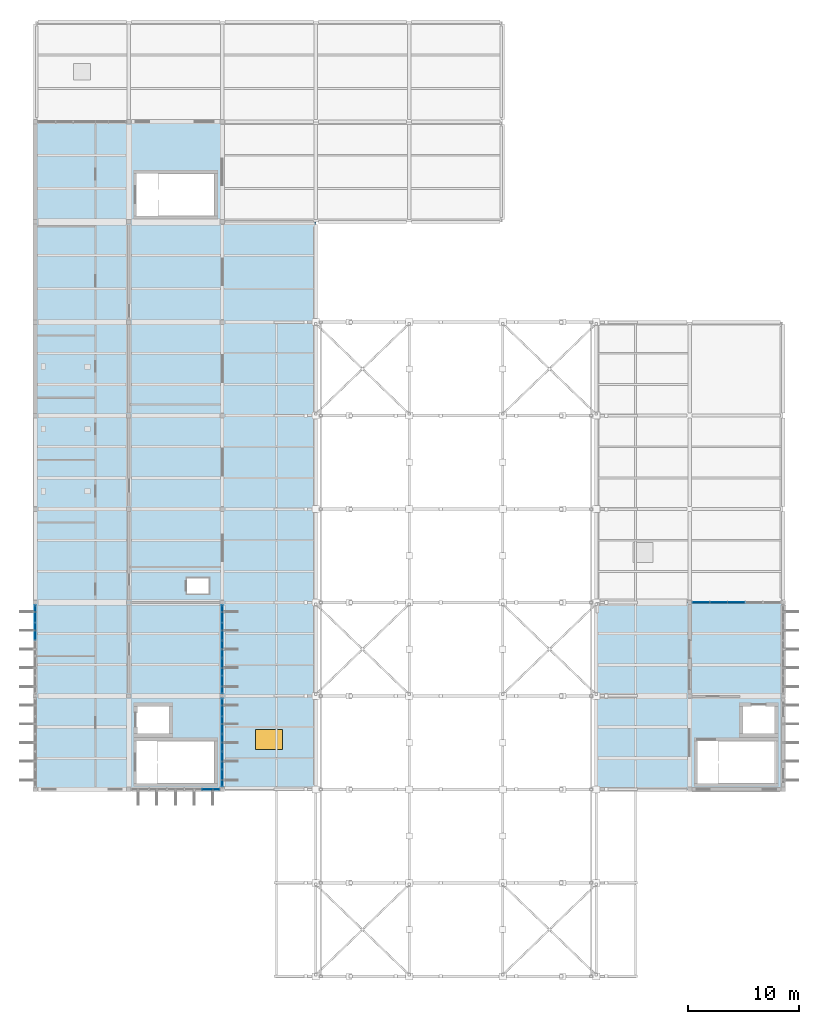
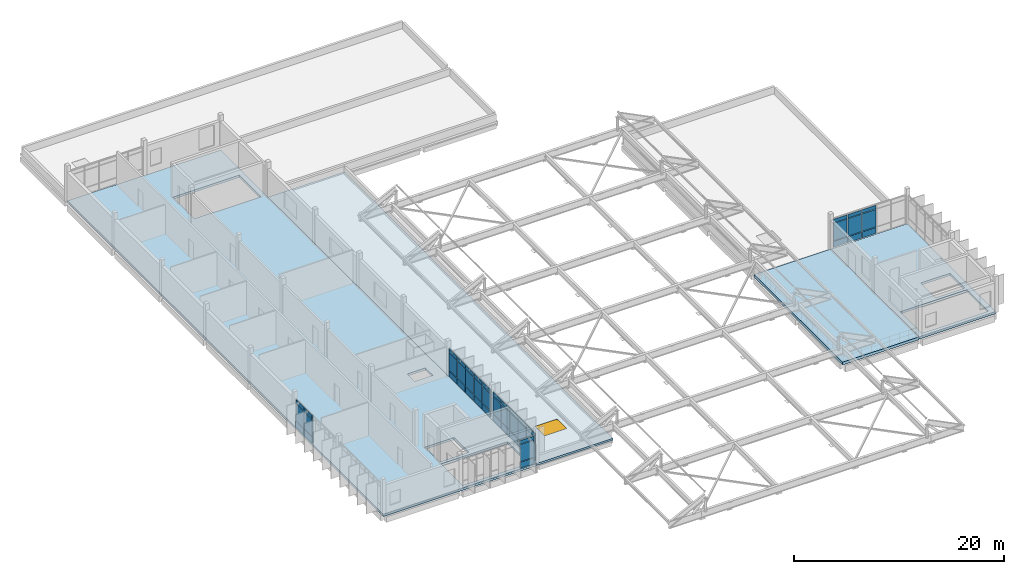
# One storey, part 26 of 41: 48 plates, 4 slabs, 1 window, 7 openings, 5 elements without a shape of their own.
"""IFC4 building model written with IfcOpenShell, lengths in metres."""

from ifc_helpers import new_model, si_unit, direction, frame, origin, origin_2d, place, context, subcontext, project, spatial, polyline, rectangle, outline, extrude, material, layer, layer_set, type_object, element, fill, aggregate, save


model = new_model("IFC4")

# Units and contexts
model_context = context("Model", 3, precision=1e-05, world=origin(), true_north=direction((0.0, 1.0)))
body_context = subcontext(model_context, "Body", "Model", "MODEL_VIEW")
ifc_project = project(units=[si_unit("LENGTHUNIT", "METRE"), si_unit("AREAUNIT", "SQUARE_METRE"), si_unit("VOLUMEUNIT", "CUBIC_METRE"), si_unit("PLANEANGLEUNIT", "RADIAN"), si_unit("MASSUNIT", "GRAM", prefix="KILO")], contexts=[model_context])

# Site, building, storey
site_placement = place(None, origin())
site = spatial("IfcSite", under=ifc_project, at=site_placement, CompositionType="ELEMENT")
building_placement = place(site_placement, origin())
building = spatial("IfcBuilding", under=site, at=building_placement, Name="Vireocrest Preparatory School", CompositionType="ELEMENT")
storey_placement = place(building_placement, frame((0.0, 0.0, 21.60009765625)))
storey = spatial("IfcBuildingStorey", under=building, at=storey_placement, Name="L05", CompositionType="ELEMENT", Elevation=21.60009765625)

# Curtain wall, plates
ifc_material_1 = material(Name="Thermally broken aluminium EN AW-6063-T6", Category="aluminium")
ifc_layer_1 = layer(ifc_material_1, 0.179931640625)
ifc_layer_set_1 = layer_set([ifc_layer_1], Name="Thermally broken aluminium EN AW-6063-T6")
curtain_wall_type_1 = type_object("IfcCurtainWallType", Name="North Street Curtain Wall 8400x4000", PredefinedType="USERDEFINED", material=ifc_layer_set_1)
curtain_wall_1_placement = place(storey_placement, origin())
curtain_wall_1 = element("IfcCurtainWall", 1, at=curtain_wall_1_placement, inside=storey, type_object=curtain_wall_type_1, Name="Curtain Wall CW05 CW_L05_CW05_1010_0606_216", ObjectType="CURTAIN WALL", PredefinedType="USERDEFINED")
ifc_material_2 = material(Name="Insulated triple low-e tempered safety glass", Category="glass")
ifc_layer_2 = layer(ifc_material_2, 0.074951171875)
ifc_layer_set_2 = layer_set([ifc_layer_2], Name="Insulated triple low-e tempered safety glass")
plate_type_1 = type_object("IfcPlateType", Name="Acoustic Triple-Glazed Lab Curtain Panel 75", PredefinedType="CURTAIN_PANEL", material=ifc_layer_set_2)
plate_1_placement = place(storey_placement, frame((101.827880859375, 60.60009765625, 0.88232421875), z_axis=(0.0, 0.0, 1.0), x_axis=(1.0, 0.0, 0.0)))
plate_1 = element("IfcPlate", 2, at=plate_1_placement, type_object=plate_type_1, Name="CW Panel GL2 CW_L05_CW05_1010_0606_216-1-2", PredefinedType="CURTAIN_PANEL", context=body_context, shape_type="SweptSolid", body=[
    extrude(rectangle(XDim=1.52099609375, YDim=0.074951171875, at=origin_2d()), origin(), (0.0, 0.0, 1.0), 2.014892578125),
])
plate_2_placement = place(storey_placement, frame((101.827880859375, 60.60009765625, 2.96240234375), z_axis=(0.0, 0.0, 1.0), x_axis=(1.0, 0.0, 0.0)))
plate_2 = element("IfcPlate", 3, at=plate_2_placement, type_object=plate_type_1, Name="CW Panel GL2 CW_L05_CW05_1010_0606_216-1-3", PredefinedType="CURTAIN_PANEL", context=body_context, shape_type="SweptSolid", body=[
    extrude(rectangle(XDim=1.52099609375, YDim=0.074951171875, at=origin_2d()), origin(), (0.0, 0.0, 1.0), 0.409912109375),
])
plate_3_placement = place(storey_placement, frame((103.4140625, 60.60009765625, 0.88232421875), z_axis=(0.0, 0.0, 1.0), x_axis=(1.0, 0.0, 0.0)))
plate_3 = element("IfcPlate", 4, at=plate_3_placement, type_object=plate_type_1, Name="CW Panel GL2 CW_L05_CW05_1010_0606_216-2-2", PredefinedType="CURTAIN_PANEL", context=body_context, shape_type="SweptSolid", body=[
    extrude(rectangle(XDim=1.52099609375, YDim=0.074951171875, at=origin_2d()), origin(), (0.0, 0.0, 1.0), 2.014892578125),
])
plate_4_placement = place(storey_placement, frame((103.4140625, 60.60009765625, 2.96240234375), z_axis=(0.0, 0.0, 1.0), x_axis=(1.0, 0.0, 0.0)))
plate_4 = element("IfcPlate", 5, at=plate_4_placement, type_object=plate_type_1, Name="CW Panel GL2 CW_L05_CW05_1010_0606_216-2-3", PredefinedType="CURTAIN_PANEL", context=body_context, shape_type="SweptSolid", body=[
    extrude(rectangle(XDim=1.52099609375, YDim=0.074951171875, at=origin_2d()), origin(), (0.0, 0.0, 1.0), 0.409912109375),
])
plate_5_placement = place(storey_placement, frame((105.0, 60.60009765625, 0.88232421875), z_axis=(0.0, 0.0, 1.0), x_axis=(1.0, 0.0, 0.0)))
plate_5 = element("IfcPlate", 6, at=plate_5_placement, type_object=plate_type_1, Name="CW Panel GL2 CW_L05_CW05_1010_0606_216-3-2", PredefinedType="CURTAIN_PANEL", context=body_context, shape_type="SweptSolid", body=[
    extrude(rectangle(XDim=1.52099609375, YDim=0.074951171875, at=origin_2d()), origin(), (0.0, 0.0, 1.0), 2.014892578125),
])
plate_6_placement = place(storey_placement, frame((105.0, 60.60009765625, 2.96240234375), z_axis=(0.0, 0.0, 1.0), x_axis=(1.0, 0.0, 0.0)))
plate_6 = element("IfcPlate", 7, at=plate_6_placement, type_object=plate_type_1, Name="CW Panel GL2 CW_L05_CW05_1010_0606_216-3-3", PredefinedType="CURTAIN_PANEL", context=body_context, shape_type="SweptSolid", body=[
    extrude(rectangle(XDim=1.52099609375, YDim=0.074951171875, at=origin_2d()), origin(), (0.0, 0.0, 1.0), 0.409912109375),
])

ifc_layer_3 = layer(ifc_material_1, 0.179931640625)
ifc_layer_set_3 = layer_set([ifc_layer_3], Name="Thermally broken aluminium EN AW-6063-T6")
curtain_wall_type_2 = type_object("IfcCurtainWallType", Name="Side Facade Curtain Wall 9000x4200", PredefinedType="USERDEFINED", material=ifc_layer_set_3)
curtain_wall_2_placement = place(storey_placement, origin())
curtain_wall_2 = element("IfcCurtainWall", 8, at=curtain_wall_2_placement, inside=storey, type_object=curtain_wall_type_2, Name="Curtain Wall CW07 CW_L05_CW07_0506_0438_216", ObjectType="CURTAIN WALL", PredefinedType="USERDEFINED")
plate_7_placement = place(storey_placement, frame((57.77197265625, 43.800048828125, 0.88232421875), z_axis=(0.0, 0.0, 1.0), x_axis=(1.0, 0.0, 0.0)))
plate_7 = element("IfcPlate", 9, at=plate_7_placement, type_object=plate_type_1, Name="CW Panel GL2 CW_L05_CW07_0506_0438_216-5-2", PredefinedType="CURTAIN_PANEL", context=body_context, shape_type="SweptSolid", body=[
    extrude(rectangle(XDim=1.52099609375, YDim=0.074951171875, at=origin_2d()), origin(), (0.0, 0.0, 1.0), 1.965087890625),
])
plate_8_placement = place(storey_placement, frame((57.77197265625, 43.800048828125, 2.91259765625), z_axis=(0.0, 0.0, 1.0), x_axis=(1.0, 0.0, 0.0)))
plate_8 = element("IfcPlate", 10, at=plate_8_placement, type_object=plate_type_1, Name="CW Panel GL2 CW_L05_CW07_0506_0438_216-5-3", PredefinedType="CURTAIN_PANEL", context=body_context, shape_type="SweptSolid", body=[
    extrude(rectangle(XDim=1.52099609375, YDim=0.074951171875, at=origin_2d()), origin(), (0.0, 0.0, 1.0), 0.409912109375),
])

ifc_layer_4 = layer(ifc_material_1, 0.179931640625)
ifc_layer_set_4 = layer_set([ifc_layer_4], Name="Thermally broken aluminium EN AW-6063-T6")
curtain_wall_type_3 = type_object("IfcCurtainWallType", Name="Teaching Fin Curtain Wall 8400x4200", PredefinedType="USERDEFINED", material=ifc_layer_set_4)
curtain_wall_3_placement = place(storey_placement, origin())
curtain_wall_3 = element("IfcCurtainWall", 11, at=curtain_wall_3_placement, inside=storey, type_object=curtain_wall_type_3, Name="Curtain Wall CW03 CW_L05_CW03_0588_0440_216", ObjectType="CURTAIN WALL", PredefinedType="USERDEFINED")
plate_9_placement = place(storey_placement, frame((58.800048828125, 44.827880859375, 0.88232421875), z_axis=(0.0, 0.0, 1.0), x_axis=(0.0, 1.0, 0.0)))
plate_9 = element("IfcPlate", 12, at=plate_9_placement, type_object=plate_type_1, Name="CW Panel GL2 CW_L05_CW03_0588_0440_216-1-2", PredefinedType="CURTAIN_PANEL", context=body_context, shape_type="SweptSolid", body=[
    extrude(rectangle(XDim=1.52099609375, YDim=0.074951171875, at=origin_2d()), origin(), (0.0, 0.0, 1.0), 2.014892578125),
])
plate_10_placement = place(storey_placement, frame((58.800048828125, 44.827880859375, 2.96240234375), z_axis=(0.0, 0.0, 1.0), x_axis=(0.0, 1.0, 0.0)))
plate_10 = element("IfcPlate", 13, at=plate_10_placement, type_object=plate_type_1, Name="CW Panel GL2 CW_L05_CW03_0588_0440_216-1-3", PredefinedType="CURTAIN_PANEL", context=body_context, shape_type="SweptSolid", body=[
    extrude(rectangle(XDim=1.52099609375, YDim=0.074951171875, at=origin_2d()), origin(), (0.0, 0.0, 1.0), 0.409912109375),
])
plate_11_placement = place(storey_placement, frame((58.800048828125, 46.4140625, 0.88232421875), z_axis=(0.0, 0.0, 1.0), x_axis=(0.0, 1.0, 0.0)))
plate_11 = element("IfcPlate", 14, at=plate_11_placement, type_object=plate_type_1, Name="CW Panel GL2 CW_L05_CW03_0588_0440_216-2-2", PredefinedType="CURTAIN_PANEL", context=body_context, shape_type="SweptSolid", body=[
    extrude(rectangle(XDim=1.52099609375, YDim=0.074951171875, at=origin_2d()), origin(), (0.0, 0.0, 1.0), 2.014892578125),
])
plate_12_placement = place(storey_placement, frame((58.800048828125, 46.4140625, 2.96240234375), z_axis=(0.0, 0.0, 1.0), x_axis=(0.0, 1.0, 0.0)))
plate_12 = element("IfcPlate", 15, at=plate_12_placement, type_object=plate_type_1, Name="CW Panel GL2 CW_L05_CW03_0588_0440_216-2-3", PredefinedType="CURTAIN_PANEL", context=body_context, shape_type="SweptSolid", body=[
    extrude(rectangle(XDim=1.52099609375, YDim=0.074951171875, at=origin_2d()), origin(), (0.0, 0.0, 1.0), 0.409912109375),
])
plate_13_placement = place(storey_placement, frame((58.800048828125, 48.0, 0.88232421875), z_axis=(0.0, 0.0, 1.0), x_axis=(0.0, 1.0, 0.0)))
plate_13 = element("IfcPlate", 16, at=plate_13_placement, type_object=plate_type_1, Name="CW Panel GL2 CW_L05_CW03_0588_0440_216-3-2", PredefinedType="CURTAIN_PANEL", context=body_context, shape_type="SweptSolid", body=[
    extrude(rectangle(XDim=1.52099609375, YDim=0.074951171875, at=origin_2d()), origin(), (0.0, 0.0, 1.0), 2.014892578125),
])
plate_14_placement = place(storey_placement, frame((58.800048828125, 48.0, 2.96240234375), z_axis=(0.0, 0.0, 1.0), x_axis=(0.0, 1.0, 0.0)))
plate_14 = element("IfcPlate", 17, at=plate_14_placement, type_object=plate_type_1, Name="CW Panel GL2 CW_L05_CW03_0588_0440_216-3-3", PredefinedType="CURTAIN_PANEL", context=body_context, shape_type="SweptSolid", body=[
    extrude(rectangle(XDim=1.52099609375, YDim=0.074951171875, at=origin_2d()), origin(), (0.0, 0.0, 1.0), 0.409912109375),
])
plate_15_placement = place(storey_placement, frame((58.800048828125, 49.5859375, 0.88232421875), z_axis=(0.0, 0.0, 1.0), x_axis=(0.0, 1.0, 0.0)))
plate_15 = element("IfcPlate", 18, at=plate_15_placement, type_object=plate_type_1, Name="CW Panel GL2 CW_L05_CW03_0588_0440_216-4-2", PredefinedType="CURTAIN_PANEL", context=body_context, shape_type="SweptSolid", body=[
    extrude(rectangle(XDim=1.52099609375, YDim=0.074951171875, at=origin_2d()), origin(), (0.0, 0.0, 1.0), 2.014892578125),
])
plate_16_placement = place(storey_placement, frame((58.800048828125, 49.5859375, 2.96240234375), z_axis=(0.0, 0.0, 1.0), x_axis=(0.0, 1.0, 0.0)))
plate_16 = element("IfcPlate", 19, at=plate_16_placement, type_object=plate_type_1, Name="CW Panel GL2 CW_L05_CW03_0588_0440_216-4-3", PredefinedType="CURTAIN_PANEL", context=body_context, shape_type="SweptSolid", body=[
    extrude(rectangle(XDim=1.52099609375, YDim=0.074951171875, at=origin_2d()), origin(), (0.0, 0.0, 1.0), 0.409912109375),
])
plate_17_placement = place(storey_placement, frame((58.800048828125, 51.172119140625, 0.88232421875), z_axis=(0.0, 0.0, 1.0), x_axis=(0.0, 1.0, 0.0)))
plate_17 = element("IfcPlate", 20, at=plate_17_placement, type_object=plate_type_1, Name="CW Panel GL2 CW_L05_CW03_0588_0440_216-5-2", PredefinedType="CURTAIN_PANEL", context=body_context, shape_type="SweptSolid", body=[
    extrude(rectangle(XDim=1.52099609375, YDim=0.074951171875, at=origin_2d()), origin(), (0.0, 0.0, 1.0), 2.014892578125),
])
plate_18_placement = place(storey_placement, frame((58.800048828125, 51.172119140625, 2.96240234375), z_axis=(0.0, 0.0, 1.0), x_axis=(0.0, 1.0, 0.0)))
plate_18 = element("IfcPlate", 21, at=plate_18_placement, type_object=plate_type_1, Name="CW Panel GL2 CW_L05_CW03_0588_0440_216-5-3", PredefinedType="CURTAIN_PANEL", context=body_context, shape_type="SweptSolid", body=[
    extrude(rectangle(XDim=1.52099609375, YDim=0.074951171875, at=origin_2d()), origin(), (0.0, 0.0, 1.0), 0.409912109375),
])

curtain_wall_4_placement = place(storey_placement, origin())
curtain_wall_4 = element("IfcCurtainWall", 22, at=curtain_wall_4_placement, inside=storey, type_object=curtain_wall_type_3, Name="Curtain Wall CW03 CW_L05_CW03_0588_0524_216", ObjectType="CURTAIN WALL", PredefinedType="USERDEFINED")
plate_19_placement = place(storey_placement, frame((58.800048828125, 53.22802734375, 0.88232421875), z_axis=(0.0, 0.0, 1.0), x_axis=(0.0, 1.0, 0.0)))
plate_19 = element("IfcPlate", 23, at=plate_19_placement, type_object=plate_type_1, Name="CW Panel GL2 CW_L05_CW03_0588_0524_216-1-2", PredefinedType="CURTAIN_PANEL", context=body_context, shape_type="SweptSolid", body=[
    extrude(rectangle(XDim=1.52099609375, YDim=0.074951171875, at=origin_2d()), origin(), (0.0, 0.0, 1.0), 1.965087890625),
])
plate_20_placement = place(storey_placement, frame((58.800048828125, 53.22802734375, 2.91259765625), z_axis=(0.0, 0.0, 1.0), x_axis=(0.0, 1.0, 0.0)))
plate_20 = element("IfcPlate", 24, at=plate_20_placement, type_object=plate_type_1, Name="CW Panel GL2 CW_L05_CW03_0588_0524_216-1-3", PredefinedType="CURTAIN_PANEL", context=body_context, shape_type="SweptSolid", body=[
    extrude(rectangle(XDim=1.52099609375, YDim=0.074951171875, at=origin_2d()), origin(), (0.0, 0.0, 1.0), 0.409912109375),
])
plate_21_placement = place(storey_placement, frame((58.800048828125, 54.81396484375, 0.88232421875), z_axis=(0.0, 0.0, 1.0), x_axis=(0.0, 1.0, 0.0)))
plate_21 = element("IfcPlate", 25, at=plate_21_placement, type_object=plate_type_1, Name="CW Panel GL2 CW_L05_CW03_0588_0524_216-2-2", PredefinedType="CURTAIN_PANEL", context=body_context, shape_type="SweptSolid", body=[
    extrude(rectangle(XDim=1.52099609375, YDim=0.074951171875, at=origin_2d()), origin(), (0.0, 0.0, 1.0), 1.965087890625),
])
plate_22_placement = place(storey_placement, frame((58.800048828125, 54.81396484375, 2.91259765625), z_axis=(0.0, 0.0, 1.0), x_axis=(0.0, 1.0, 0.0)))
plate_22 = element("IfcPlate", 26, at=plate_22_placement, type_object=plate_type_1, Name="CW Panel GL2 CW_L05_CW03_0588_0524_216-2-3", PredefinedType="CURTAIN_PANEL", context=body_context, shape_type="SweptSolid", body=[
    extrude(rectangle(XDim=1.52099609375, YDim=0.074951171875, at=origin_2d()), origin(), (0.0, 0.0, 1.0), 0.409912109375),
])
plate_23_placement = place(storey_placement, frame((58.800048828125, 56.39990234375, 0.88232421875), z_axis=(0.0, 0.0, 1.0), x_axis=(0.0, 1.0, 0.0)))
plate_23 = element("IfcPlate", 27, at=plate_23_placement, type_object=plate_type_1, Name="CW Panel GL2 CW_L05_CW03_0588_0524_216-3-2", PredefinedType="CURTAIN_PANEL", context=body_context, shape_type="SweptSolid", body=[
    extrude(rectangle(XDim=1.52099609375, YDim=0.074951171875, at=origin_2d()), origin(), (0.0, 0.0, 1.0), 1.965087890625),
])
plate_24_placement = place(storey_placement, frame((58.800048828125, 56.39990234375, 2.91259765625), z_axis=(0.0, 0.0, 1.0), x_axis=(0.0, 1.0, 0.0)))
plate_24 = element("IfcPlate", 28, at=plate_24_placement, type_object=plate_type_1, Name="CW Panel GL2 CW_L05_CW03_0588_0524_216-3-3", PredefinedType="CURTAIN_PANEL", context=body_context, shape_type="SweptSolid", body=[
    extrude(rectangle(XDim=1.52099609375, YDim=0.074951171875, at=origin_2d()), origin(), (0.0, 0.0, 1.0), 0.409912109375),
])
plate_25_placement = place(storey_placement, frame((58.800048828125, 57.986083984375, 0.88232421875), z_axis=(0.0, 0.0, 1.0), x_axis=(0.0, 1.0, 0.0)))
plate_25 = element("IfcPlate", 29, at=plate_25_placement, type_object=plate_type_1, Name="CW Panel GL2 CW_L05_CW03_0588_0524_216-4-2", PredefinedType="CURTAIN_PANEL", context=body_context, shape_type="SweptSolid", body=[
    extrude(rectangle(XDim=1.52099609375, YDim=0.074951171875, at=origin_2d()), origin(), (0.0, 0.0, 1.0), 1.965087890625),
])
plate_26_placement = place(storey_placement, frame((58.800048828125, 57.986083984375, 2.91259765625), z_axis=(0.0, 0.0, 1.0), x_axis=(0.0, 1.0, 0.0)))
plate_26 = element("IfcPlate", 30, at=plate_26_placement, type_object=plate_type_1, Name="CW Panel GL2 CW_L05_CW03_0588_0524_216-4-3", PredefinedType="CURTAIN_PANEL", context=body_context, shape_type="SweptSolid", body=[
    extrude(rectangle(XDim=1.52099609375, YDim=0.074951171875, at=origin_2d()), origin(), (0.0, 0.0, 1.0), 0.409912109375),
])
plate_27_placement = place(storey_placement, frame((58.800048828125, 59.572021484375, 0.88232421875), z_axis=(0.0, 0.0, 1.0), x_axis=(0.0, 1.0, 0.0)))
plate_27 = element("IfcPlate", 31, at=plate_27_placement, type_object=plate_type_1, Name="CW Panel GL2 CW_L05_CW03_0588_0524_216-5-2", PredefinedType="CURTAIN_PANEL", context=body_context, shape_type="SweptSolid", body=[
    extrude(rectangle(XDim=1.52099609375, YDim=0.074951171875, at=origin_2d()), origin(), (0.0, 0.0, 1.0), 1.965087890625),
])
plate_28_placement = place(storey_placement, frame((58.800048828125, 59.572021484375, 2.91259765625), z_axis=(0.0, 0.0, 1.0), x_axis=(0.0, 1.0, 0.0)))
plate_28 = element("IfcPlate", 32, at=plate_28_placement, type_object=plate_type_1, Name="CW Panel GL2 CW_L05_CW03_0588_0524_216-5-3", PredefinedType="CURTAIN_PANEL", context=body_context, shape_type="SweptSolid", body=[
    extrude(rectangle(XDim=1.52099609375, YDim=0.074951171875, at=origin_2d()), origin(), (0.0, 0.0, 1.0), 0.409912109375),
])

curtain_wall_5_placement = place(storey_placement, origin())
curtain_wall_5 = element("IfcCurtainWall", 33, at=curtain_wall_5_placement, inside=storey, type_object=curtain_wall_type_3, Name="Curtain Wall CW03 CW_L05_CW03_0420_0524_216", ObjectType="CURTAIN WALL", PredefinedType="USERDEFINED")
plate_29_placement = place(storey_placement, frame((42.0, 57.986083984375, 0.88232421875), z_axis=(0.0, 0.0, 1.0), x_axis=(0.0, 1.0, 0.0)))
plate_29 = element("IfcPlate", 34, at=plate_29_placement, type_object=plate_type_1, Name="CW Panel GL2 CW_L05_CW03_0420_0524_216-4-2", PredefinedType="CURTAIN_PANEL", context=body_context, shape_type="SweptSolid", body=[
    extrude(rectangle(XDim=1.52099609375, YDim=0.074951171875, at=origin_2d()), origin(), (0.0, 0.0, 1.0), 1.965087890625),
])
plate_30_placement = place(storey_placement, frame((42.0, 57.986083984375, 2.91259765625), z_axis=(0.0, 0.0, 1.0), x_axis=(0.0, 1.0, 0.0)))
plate_30 = element("IfcPlate", 35, at=plate_30_placement, type_object=plate_type_1, Name="CW Panel GL2 CW_L05_CW03_0420_0524_216-4-3", PredefinedType="CURTAIN_PANEL", context=body_context, shape_type="SweptSolid", body=[
    extrude(rectangle(XDim=1.52099609375, YDim=0.074951171875, at=origin_2d()), origin(), (0.0, 0.0, 1.0), 0.409912109375),
])
plate_31_placement = place(storey_placement, frame((42.0, 59.572021484375, 0.88232421875), z_axis=(0.0, 0.0, 1.0), x_axis=(0.0, 1.0, 0.0)))
plate_31 = element("IfcPlate", 36, at=plate_31_placement, type_object=plate_type_1, Name="CW Panel GL2 CW_L05_CW03_0420_0524_216-5-2", PredefinedType="CURTAIN_PANEL", context=body_context, shape_type="SweptSolid", body=[
    extrude(rectangle(XDim=1.52099609375, YDim=0.074951171875, at=origin_2d()), origin(), (0.0, 0.0, 1.0), 1.965087890625),
])
plate_32_placement = place(storey_placement, frame((42.0, 59.572021484375, 2.91259765625), z_axis=(0.0, 0.0, 1.0), x_axis=(0.0, 1.0, 0.0)))
plate_32 = element("IfcPlate", 37, at=plate_32_placement, type_object=plate_type_1, Name="CW Panel GL2 CW_L05_CW03_0420_0524_216-5-3", PredefinedType="CURTAIN_PANEL", context=body_context, shape_type="SweptSolid", body=[
    extrude(rectangle(XDim=1.52099609375, YDim=0.074951171875, at=origin_2d()), origin(), (0.0, 0.0, 1.0), 0.409912109375),
])

# Slab, opening, window
ifc_material_3 = material(Name="Concrete 40 MPa", Category="concrete")
ifc_layer_5 = layer(ifc_material_3, 0.219970703125)
ifc_layer_set_5 = layer_set([ifc_layer_5], Name="Concrete 40 MPa")
slab_type_1 = type_object("IfcSlabType", Name="Insulated Flat Concrete Roof Slab 220", PredefinedType="ROOF", material=ifc_layer_set_5)
slab_1_placement = place(storey_placement, frame((0.0, 0.0, -0.22021484375)))
slab_1 = element("IfcSlab", 38, at=slab_1_placement, inside=storey, type_object=slab_type_1, Name="Slab L05_WEST_COURT_ROOF", PredefinedType="ROOF", context=body_context, shape_type="SweptSolid", body=[
    extrude(outline(polyline([(58.800048828125, 43.800048828125), (67.199951171875, 43.800048828125), (67.199951171875, 94.800048828125), (58.800048828125, 94.800048828125), (58.800048828125, 43.800048828125)])), origin(), (0.0, 0.0, 1.0), 0.22021484375),
])
opening_1_placement = place(slab_1_placement, frame((63.0, 48.300048828125, -0.010009765625)))
opening_1 = element("IfcOpeningElement", 39, at=opening_1_placement, cuts=slab_1, Name="Opening SK03", PredefinedType="OPENING", context=body_context, shape_type="SweptSolid", body=[
    extrude(rectangle(XDim=2.39990234375, YDim=1.800048828125, at=origin_2d()), origin(), (0.0, 0.0, 1.0), 0.240234375),
])
ifc_material_4 = material(Name="Tempered solar-control skylight glass", Category="glass")
window_type = type_object("IfcWindowType", Name="Studio Northlight Skylight 2400x1800", PartitioningType="SINGLE_PANEL", PredefinedType="SKYLIGHT", material=ifc_material_4)
window_placement = place(opening_1_placement, frame((0.0, 0.0, 0.18017578125)))
window = element("IfcWindow", 40, at=window_placement, inside=storey, type_object=window_type, Name="Roof Skylight SK03-06", OverallHeight=1.800048828125, OverallWidth=2.39990234375, PartitioningType="SINGLE_PANEL", PredefinedType="SKYLIGHT", context=body_context, shape_type="SweptSolid", body=[
    extrude(rectangle(XDim=2.39990234375, YDim=1.800048828125, at=origin_2d()), origin(), (0.0, 0.0, 1.0), 0.050048828125),
])
fill(opening_1, window)

# Plate
ifc_material_5 = material(Name="Painted white aluminium cladding EN AW-6063-T6", Category="aluminium")
ifc_layer_6 = layer(ifc_material_5, 0.114990234375)
ifc_layer_set_6 = layer_set([ifc_layer_6], Name="Painted white aluminium cladding EN AW-6063-T6")
plate_type_2 = type_object("IfcPlateType", Name="Insulated White Spandrel Curtain Panel 115", PredefinedType="CURTAIN_PANEL", material=ifc_layer_set_6)
plate_33_placement = place(storey_placement, frame((101.827880859375, 60.60009765625, 0.12744140625), z_axis=(0.0, 0.0, 1.0), x_axis=(1.0, 0.0, 0.0)))
plate_33 = element("IfcPlate", 41, at=plate_33_placement, type_object=plate_type_2, Name="CW Panel SP2 CW_L05_CW05_1010_0606_216-1-1", PredefinedType="CURTAIN_PANEL", context=body_context, shape_type="SweptSolid", body=[
    extrude(rectangle(XDim=1.52099609375, YDim=0.114990234375, at=origin_2d()), origin(), (0.0, 0.0, 1.0), 0.68994140625),
])

plate_34_placement = place(storey_placement, frame((103.4140625, 60.60009765625, 0.12744140625), z_axis=(0.0, 0.0, 1.0), x_axis=(1.0, 0.0, 0.0)))
plate_34 = element("IfcPlate", 42, at=plate_34_placement, type_object=plate_type_2, Name="CW Panel SP2 CW_L05_CW05_1010_0606_216-2-1", PredefinedType="CURTAIN_PANEL", context=body_context, shape_type="SweptSolid", body=[
    extrude(rectangle(XDim=1.52099609375, YDim=0.114990234375, at=origin_2d()), origin(), (0.0, 0.0, 1.0), 0.68994140625),
])

plate_35_placement = place(storey_placement, frame((105.0, 60.60009765625, 0.12744140625), z_axis=(0.0, 0.0, 1.0), x_axis=(1.0, 0.0, 0.0)))
plate_35 = element("IfcPlate", 43, at=plate_35_placement, type_object=plate_type_2, Name="CW Panel SP2 CW_L05_CW05_1010_0606_216-3-1", PredefinedType="CURTAIN_PANEL", context=body_context, shape_type="SweptSolid", body=[
    extrude(rectangle(XDim=1.52099609375, YDim=0.114990234375, at=origin_2d()), origin(), (0.0, 0.0, 1.0), 0.68994140625),
])

aggregate(curtain_wall_1, [plate_33, plate_1, plate_2, plate_34, plate_3, plate_4, plate_35, plate_5, plate_6])

plate_36_placement = place(storey_placement, frame((57.77197265625, 43.800048828125, 0.12744140625), z_axis=(0.0, 0.0, 1.0), x_axis=(1.0, 0.0, 0.0)))
plate_36 = element("IfcPlate", 44, at=plate_36_placement, type_object=plate_type_2, Name="CW Panel SP2 CW_L05_CW07_0506_0438_216-5-1", PredefinedType="CURTAIN_PANEL", context=body_context, shape_type="SweptSolid", body=[
    extrude(rectangle(XDim=1.52099609375, YDim=0.114990234375, at=origin_2d()), origin(), (0.0, 0.0, 1.0), 0.68994140625),
])

aggregate(curtain_wall_2, [plate_36, plate_7, plate_8])

plate_37_placement = place(storey_placement, frame((58.800048828125, 44.827880859375, 0.12744140625), z_axis=(0.0, 0.0, 1.0), x_axis=(0.0, 1.0, 0.0)))
plate_37 = element("IfcPlate", 45, at=plate_37_placement, type_object=plate_type_2, Name="CW Panel SP2 CW_L05_CW03_0588_0440_216-1-1", PredefinedType="CURTAIN_PANEL", context=body_context, shape_type="SweptSolid", body=[
    extrude(rectangle(XDim=1.52099609375, YDim=0.114990234375, at=origin_2d()), origin(), (0.0, 0.0, 1.0), 0.68994140625),
])

plate_38_placement = place(storey_placement, frame((58.800048828125, 46.4140625, 0.12744140625), z_axis=(0.0, 0.0, 1.0), x_axis=(0.0, 1.0, 0.0)))
plate_38 = element("IfcPlate", 46, at=plate_38_placement, type_object=plate_type_2, Name="CW Panel SP2 CW_L05_CW03_0588_0440_216-2-1", PredefinedType="CURTAIN_PANEL", context=body_context, shape_type="SweptSolid", body=[
    extrude(rectangle(XDim=1.52099609375, YDim=0.114990234375, at=origin_2d()), origin(), (0.0, 0.0, 1.0), 0.68994140625),
])

plate_39_placement = place(storey_placement, frame((58.800048828125, 48.0, 0.12744140625), z_axis=(0.0, 0.0, 1.0), x_axis=(0.0, 1.0, 0.0)))
plate_39 = element("IfcPlate", 47, at=plate_39_placement, type_object=plate_type_2, Name="CW Panel SP2 CW_L05_CW03_0588_0440_216-3-1", PredefinedType="CURTAIN_PANEL", context=body_context, shape_type="SweptSolid", body=[
    extrude(rectangle(XDim=1.52099609375, YDim=0.114990234375, at=origin_2d()), origin(), (0.0, 0.0, 1.0), 0.68994140625),
])

plate_40_placement = place(storey_placement, frame((58.800048828125, 49.5859375, 0.12744140625), z_axis=(0.0, 0.0, 1.0), x_axis=(0.0, 1.0, 0.0)))
plate_40 = element("IfcPlate", 48, at=plate_40_placement, type_object=plate_type_2, Name="CW Panel SP2 CW_L05_CW03_0588_0440_216-4-1", PredefinedType="CURTAIN_PANEL", context=body_context, shape_type="SweptSolid", body=[
    extrude(rectangle(XDim=1.52099609375, YDim=0.114990234375, at=origin_2d()), origin(), (0.0, 0.0, 1.0), 0.68994140625),
])

plate_41_placement = place(storey_placement, frame((58.800048828125, 51.172119140625, 0.12744140625), z_axis=(0.0, 0.0, 1.0), x_axis=(0.0, 1.0, 0.0)))
plate_41 = element("IfcPlate", 49, at=plate_41_placement, type_object=plate_type_2, Name="CW Panel SP2 CW_L05_CW03_0588_0440_216-5-1", PredefinedType="CURTAIN_PANEL", context=body_context, shape_type="SweptSolid", body=[
    extrude(rectangle(XDim=1.52099609375, YDim=0.114990234375, at=origin_2d()), origin(), (0.0, 0.0, 1.0), 0.68994140625),
])

aggregate(curtain_wall_3, [plate_37, plate_9, plate_10, plate_38, plate_11, plate_12, plate_39, plate_13, plate_14, plate_40, plate_15, plate_16, plate_41, plate_17, plate_18])

plate_42_placement = place(storey_placement, frame((58.800048828125, 53.22802734375, 0.12744140625), z_axis=(0.0, 0.0, 1.0), x_axis=(0.0, 1.0, 0.0)))
plate_42 = element("IfcPlate", 50, at=plate_42_placement, type_object=plate_type_2, Name="CW Panel SP2 CW_L05_CW03_0588_0524_216-1-1", PredefinedType="CURTAIN_PANEL", context=body_context, shape_type="SweptSolid", body=[
    extrude(rectangle(XDim=1.52099609375, YDim=0.114990234375, at=origin_2d()), origin(), (0.0, 0.0, 1.0), 0.68994140625),
])

plate_43_placement = place(storey_placement, frame((58.800048828125, 54.81396484375, 0.12744140625), z_axis=(0.0, 0.0, 1.0), x_axis=(0.0, 1.0, 0.0)))
plate_43 = element("IfcPlate", 51, at=plate_43_placement, type_object=plate_type_2, Name="CW Panel SP2 CW_L05_CW03_0588_0524_216-2-1", PredefinedType="CURTAIN_PANEL", context=body_context, shape_type="SweptSolid", body=[
    extrude(rectangle(XDim=1.52099609375, YDim=0.114990234375, at=origin_2d()), origin(), (0.0, 0.0, 1.0), 0.68994140625),
])

plate_44_placement = place(storey_placement, frame((58.800048828125, 56.39990234375, 0.12744140625), z_axis=(0.0, 0.0, 1.0), x_axis=(0.0, 1.0, 0.0)))
plate_44 = element("IfcPlate", 52, at=plate_44_placement, type_object=plate_type_2, Name="CW Panel SP2 CW_L05_CW03_0588_0524_216-3-1", PredefinedType="CURTAIN_PANEL", context=body_context, shape_type="SweptSolid", body=[
    extrude(rectangle(XDim=1.52099609375, YDim=0.114990234375, at=origin_2d()), origin(), (0.0, 0.0, 1.0), 0.68994140625),
])

plate_45_placement = place(storey_placement, frame((58.800048828125, 57.986083984375, 0.12744140625), z_axis=(0.0, 0.0, 1.0), x_axis=(0.0, 1.0, 0.0)))
plate_45 = element("IfcPlate", 53, at=plate_45_placement, type_object=plate_type_2, Name="CW Panel SP2 CW_L05_CW03_0588_0524_216-4-1", PredefinedType="CURTAIN_PANEL", context=body_context, shape_type="SweptSolid", body=[
    extrude(rectangle(XDim=1.52099609375, YDim=0.114990234375, at=origin_2d()), origin(), (0.0, 0.0, 1.0), 0.68994140625),
])

plate_46_placement = place(storey_placement, frame((58.800048828125, 59.572021484375, 0.12744140625), z_axis=(0.0, 0.0, 1.0), x_axis=(0.0, 1.0, 0.0)))
plate_46 = element("IfcPlate", 54, at=plate_46_placement, type_object=plate_type_2, Name="CW Panel SP2 CW_L05_CW03_0588_0524_216-5-1", PredefinedType="CURTAIN_PANEL", context=body_context, shape_type="SweptSolid", body=[
    extrude(rectangle(XDim=1.52099609375, YDim=0.114990234375, at=origin_2d()), origin(), (0.0, 0.0, 1.0), 0.68994140625),
])

aggregate(curtain_wall_4, [plate_42, plate_19, plate_20, plate_43, plate_21, plate_22, plate_44, plate_23, plate_24, plate_45, plate_25, plate_26, plate_46, plate_27, plate_28])

plate_47_placement = place(storey_placement, frame((42.0, 57.986083984375, 0.12744140625), z_axis=(0.0, 0.0, 1.0), x_axis=(0.0, 1.0, 0.0)))
plate_47 = element("IfcPlate", 55, at=plate_47_placement, type_object=plate_type_2, Name="CW Panel SP2 CW_L05_CW03_0420_0524_216-4-1", PredefinedType="CURTAIN_PANEL", context=body_context, shape_type="SweptSolid", body=[
    extrude(rectangle(XDim=1.52099609375, YDim=0.114990234375, at=origin_2d()), origin(), (0.0, 0.0, 1.0), 0.68994140625),
])

plate_48_placement = place(storey_placement, frame((42.0, 59.572021484375, 0.12744140625), z_axis=(0.0, 0.0, 1.0), x_axis=(0.0, 1.0, 0.0)))
plate_48 = element("IfcPlate", 56, at=plate_48_placement, type_object=plate_type_2, Name="CW Panel SP2 CW_L05_CW03_0420_0524_216-5-1", PredefinedType="CURTAIN_PANEL", context=body_context, shape_type="SweptSolid", body=[
    extrude(rectangle(XDim=1.52099609375, YDim=0.114990234375, at=origin_2d()), origin(), (0.0, 0.0, 1.0), 0.68994140625),
])

aggregate(curtain_wall_5, [plate_47, plate_29, plate_30, plate_48, plate_31, plate_32])

# Slab
ifc_layer_7 = layer(ifc_material_3, 0.320068359375)
ifc_layer_set_7 = layer_set([ifc_layer_7], Name="Concrete 40 MPa")
slab_type_2 = type_object("IfcSlabType", Name="Outdoor Play Deck and Terrace Structural Slab 320", PredefinedType="FLOOR", material=ifc_layer_set_7)
slab_2_placement = place(storey_placement, frame((0.0, 0.0, -0.320068359375)))
element("IfcSlab", 57, at=slab_2_placement, inside=storey, type_object=slab_type_2, Name="Slab L05_EAST_TERRACE", PredefinedType="FLOOR", context=body_context, shape_type="SweptSolid", body=[
    extrude(outline(polyline([(92.39990234375, 43.800048828125), (100.800048828125, 43.800048828125), (100.800048828125, 60.60009765625), (92.39990234375, 60.60009765625), (92.39990234375, 43.800048828125)])), origin(), (0.0, 0.0, 1.0), 0.320068359375),
])

# Slab, openings
ifc_layer_8 = layer(ifc_material_3, 0.260009765625)
ifc_layer_set_8 = layer_set([ifc_layer_8], Name="Concrete 40 MPa")
slab_type_3 = type_object("IfcSlabType", Name="Science Laboratory Low-Vibration RC Slab 260", PredefinedType="FLOOR", material=ifc_layer_set_8)
slab_3_placement = place(storey_placement, frame((0.0, 0.0, -0.260009765625)))
slab_3 = element("IfcSlab", 58, at=slab_3_placement, inside=storey, type_object=slab_type_3, Name="Slab L05_WEST_BAR", PredefinedType="FLOOR", context=body_context, shape_type="SweptSolid", body=[
    extrude(outline(polyline([(42.0, 43.800048828125), (58.800048828125, 43.800048828125), (58.800048828125, 103.800048828125), (42.0, 103.800048828125), (42.0, 43.800048828125)])), origin(), (0.0, 0.0, 1.0), 0.260009765625),
])
opening_2_placement = place(slab_3_placement, frame((0.0, 0.0, -0.010009765625)))
element("IfcOpeningElement", 59, at=opening_2_placement, cuts=slab_3, Name="Slab Opening SLAB_L05_WEST_BAR-1", PredefinedType="OPENING", context=body_context, shape_type="SweptSolid", body=[
    extrude(outline(polyline([(50.949951171875, 44.199951171875), (58.25, 44.199951171875), (58.25, 48.300048828125), (50.949951171875, 48.300048828125), (50.949951171875, 44.199951171875)])), origin(), (0.0, 0.0, 1.0), 0.280029296875),
])
opening_3_placement = place(slab_3_placement, frame((0.0, 0.0, -0.010009765625)))
element("IfcOpeningElement", 60, at=opening_3_placement, cuts=slab_3, Name="Slab Opening SLAB_L05_WEST_BAR-2", PredefinedType="OPENING", context=body_context, shape_type="SweptSolid", body=[
    extrude(outline(polyline([(51.0, 48.64990234375), (54.199951171875, 48.64990234375), (54.199951171875, 51.449951171875), (51.0, 51.449951171875), (51.0, 48.64990234375)])), origin(), (0.0, 0.0, 1.0), 0.280029296875),
])
opening_4_placement = place(slab_3_placement, frame((0.0, 0.0, -0.010009765625)))
element("IfcOpeningElement", 61, at=opening_4_placement, cuts=slab_3, Name="Slab Opening SLAB_L05_WEST_BAR-3", PredefinedType="OPENING", context=body_context, shape_type="SweptSolid", body=[
    extrude(outline(polyline([(50.949951171875, 95.199951171875), (58.25, 95.199951171875), (58.25, 99.300048828125), (50.949951171875, 99.300048828125), (50.949951171875, 95.199951171875)])), origin(), (0.0, 0.0, 1.0), 0.280029296875),
])
opening_5_placement = place(slab_3_placement, frame((0.0, 0.0, -0.010009765625)))
element("IfcOpeningElement", 62, at=opening_5_placement, cuts=slab_3, Name="Slab Opening SLAB_L05_WEST_BAR-4", PredefinedType="OPENING", context=body_context, shape_type="SweptSolid", body=[
    extrude(outline(polyline([(55.60009765625, 61.39990234375), (57.60009765625, 61.39990234375), (57.60009765625, 62.800048828125), (55.60009765625, 62.800048828125), (55.60009765625, 61.39990234375)])), origin(), (0.0, 0.0, 1.0), 0.280029296875),
])

slab_4_placement = place(storey_placement, frame((0.0, 0.0, -0.260009765625)))
slab_4 = element("IfcSlab", 63, at=slab_4_placement, inside=storey, type_object=slab_type_3, Name="Slab L05_EAST_CORE_VEST", PredefinedType="FLOOR", context=body_context, shape_type="SweptSolid", body=[
    extrude(outline(polyline([(100.800048828125, 43.800048828125), (109.199951171875, 43.800048828125), (109.199951171875, 60.60009765625), (100.800048828125, 60.60009765625), (100.800048828125, 43.800048828125)])), origin(), (0.0, 0.0, 1.0), 0.260009765625),
])
opening_6_placement = place(slab_4_placement, frame((0.0, 0.0, -0.010009765625)))
element("IfcOpeningElement", 64, at=opening_6_placement, cuts=slab_4, Name="Slab Opening SLAB_L05_EAST_CORE_VEST-1", PredefinedType="OPENING", context=body_context, shape_type="SweptSolid", body=[
    extrude(outline(polyline([(101.35009765625, 44.199951171875), (108.64990234375, 44.199951171875), (108.64990234375, 48.300048828125), (101.35009765625, 48.300048828125), (101.35009765625, 44.199951171875)])), origin(), (0.0, 0.0, 1.0), 0.280029296875),
])
opening_7_placement = place(slab_4_placement, frame((0.0, 0.0, -0.010009765625)))
element("IfcOpeningElement", 65, at=opening_7_placement, cuts=slab_4, Name="Slab Opening SLAB_L05_EAST_CORE_VEST-2", PredefinedType="OPENING", context=body_context, shape_type="SweptSolid", body=[
    extrude(outline(polyline([(105.39990234375, 48.64990234375), (108.60009765625, 48.64990234375), (108.60009765625, 51.449951171875), (105.39990234375, 51.449951171875), (105.39990234375, 48.64990234375)])), origin(), (0.0, 0.0, 1.0), 0.280029296875),
])

save(model, "model.ifc")
